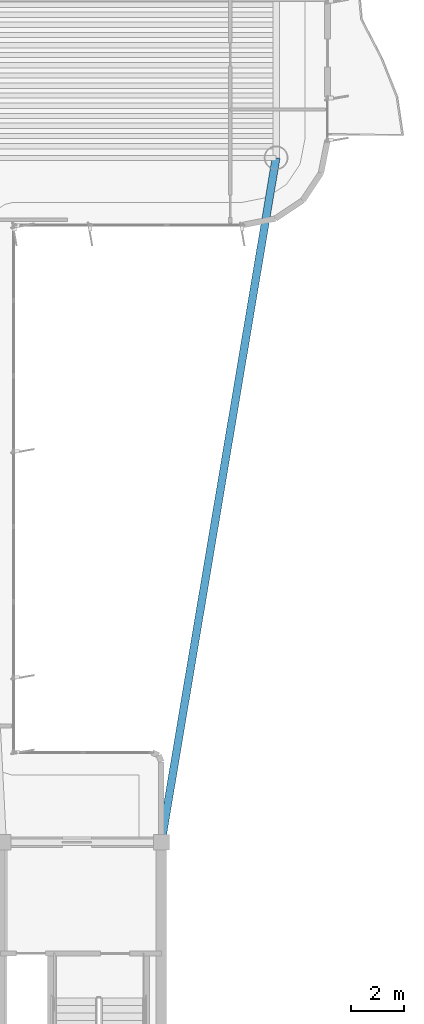
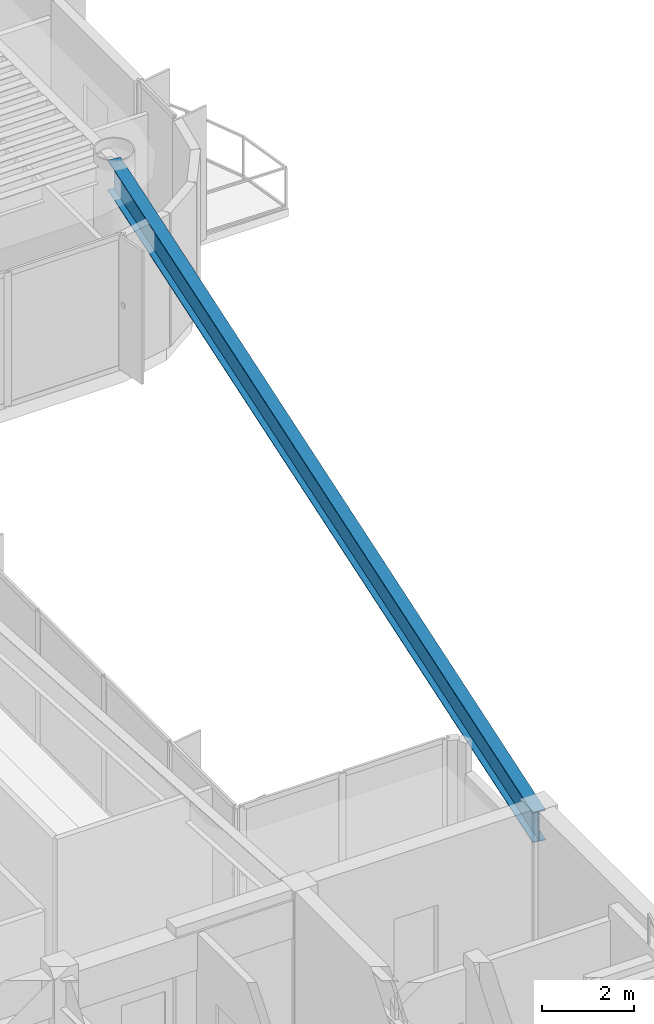
# One storey, part 4 of 16: 1 beam.
"""IFC4 building model written with IfcOpenShell, lengths in metres."""

from ifc_helpers import new_model, si_unit, direction, frame, origin, origin_2d, place, context, subcontext, project, spatial, i_section, extrude, source, transform, mapped, material, material_profile, profile_set, type_object, element, save


model = new_model("IFC4")

# Units and contexts
model_context = context("Model", 3, precision=1e-05, world=origin(), true_north=direction((0.0, 1.0)))
body_context = subcontext(model_context, "Body", "Model", "MODEL_VIEW")
ifc_project = project(units=[si_unit("LENGTHUNIT", "METRE"), si_unit("AREAUNIT", "SQUARE_METRE"), si_unit("VOLUMEUNIT", "CUBIC_METRE"), si_unit("PLANEANGLEUNIT", "RADIAN"), si_unit("MASSUNIT", "GRAM", prefix="KILO")], contexts=[model_context])

# Site, building, storey
site_placement = place(None, origin())
site = spatial("IfcSite", under=ifc_project, at=site_placement, CompositionType="ELEMENT")
building_placement = place(site_placement, origin())
building = spatial("IfcBuilding", under=site, at=building_placement, Name="Brelvock Crest Care Tower", CompositionType="ELEMENT")
storey_placement = place(building_placement, frame((0.0, 0.0, 223.02001953125)))
storey = spatial("IfcBuildingStorey", under=building, at=storey_placement, Name="L56", CompositionType="ELEMENT", Elevation=223.02001953125)

# Beam
ifc_material = material(Name="Steel Grade 350", Category="steel")
ifc_material_profile = material_profile(ifc_material, i_section(OverallWidth=0.300048828125, OverallDepth=0.800048828125, WebThickness=0.013916015625, FlangeThickness=0.02197265625, at=origin_2d()), Name="800WB192")
ifc_profile_set = profile_set([ifc_material_profile], Name="Steel Grade 350")
beam_type = type_object("IfcBeamType", Name="BM-G5", PredefinedType="BEAM", material=ifc_profile_set)
shared_shape = source(origin(), body_context, "Body", "SweptSolid", [
    extrude(i_section(OverallWidth=0.300048828125, OverallDepth=0.800048828125, WebThickness=0.013916015625, FlangeThickness=0.02197265625, at=origin_2d()), origin(), (0.0, 0.0, 1.0), 26.31201171875),
])
beam_placement = place(storey_placement, frame((48.0, 18.0, 3.1298828125), z_axis=(0.165327282709, 0.986238758918, 0.0), x_axis=(-0.986238758918, 0.165327282709, 0.0)))
element("IfcBeam", 1, at=beam_placement, inside=storey, type_object=beam_type, Name="BM-THRO-E-L56", PredefinedType="BEAM", context=body_context, shape_type="MappedRepresentation", body=[
    mapped(shared_shape, transform((0.0, 0.0, 0.0), x_axis=(1.0, 0.0, 0.0), y_axis=(0.0, 1.0, 0.0), z_axis=(0.0, 0.0, 1.0), scale=1.0)),
])

save(model, "model.ifc")
